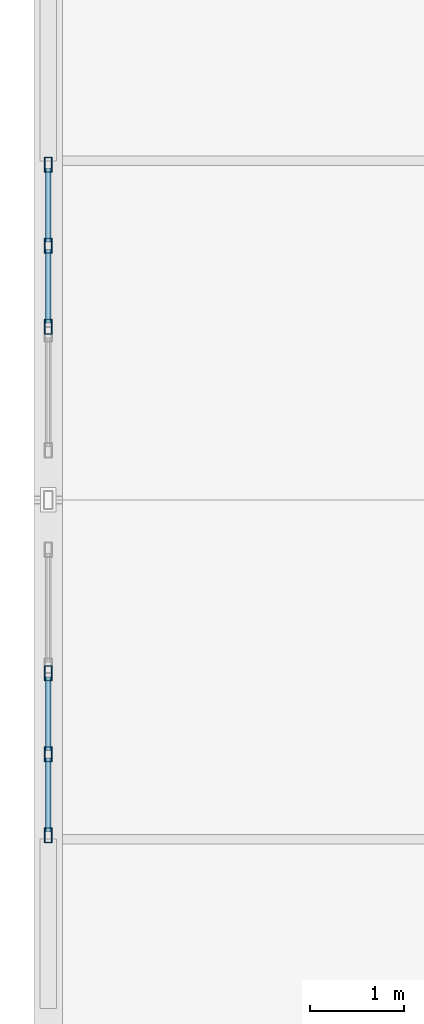
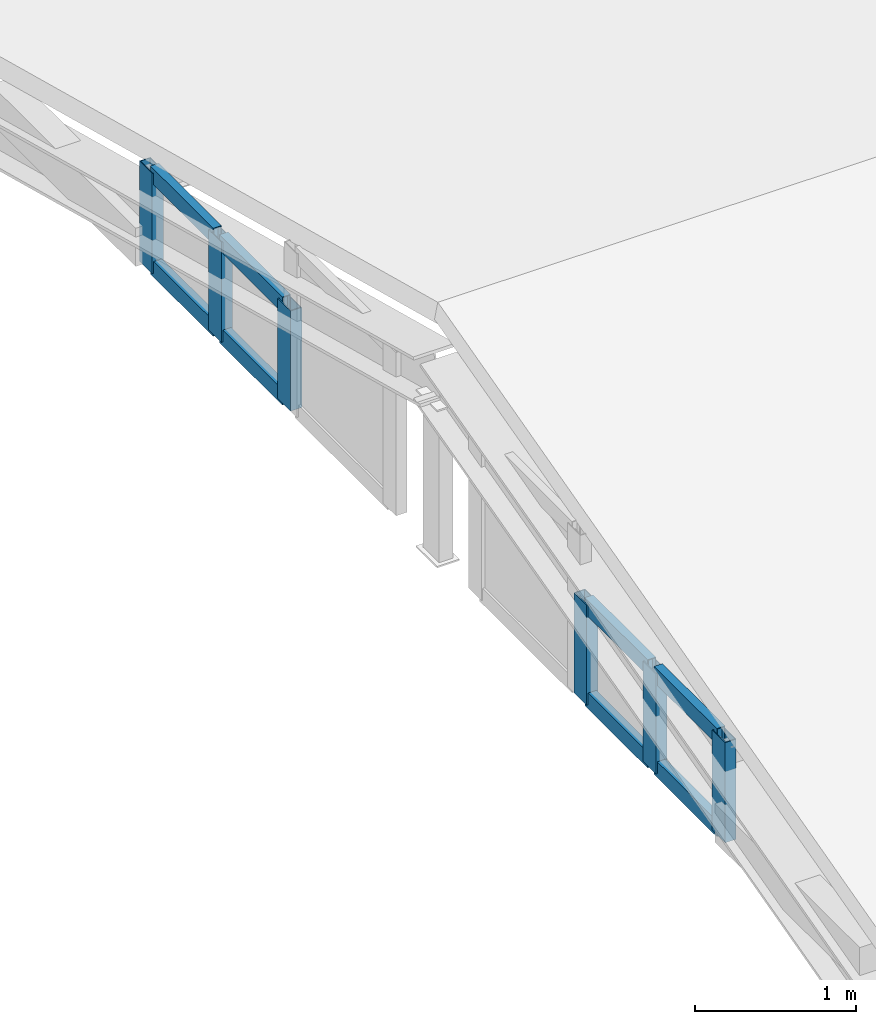
# One storey, part 52 of 105: 14 members, 2 elements without a shape of their own.
"""IFC4 building model written with IfcOpenShell, lengths in metres."""

from ifc_helpers import new_model, si_unit, direction, frame, origin, origin_2d, place, context, subcontext, project, spatial, hollow_rectangle, extrude, material, layer, layer_set, material_profile, profile_set, type_object, element, aggregate, save


model = new_model("IFC4")

# Units and contexts
model_context = context("Model", 3, precision=1e-05, world=origin(), true_north=direction((0.0, 1.0)))
body_context = subcontext(model_context, "Body", "Model", "MODEL_VIEW")
ifc_project = project(units=[si_unit("LENGTHUNIT", "METRE"), si_unit("AREAUNIT", "SQUARE_METRE"), si_unit("VOLUMEUNIT", "CUBIC_METRE"), si_unit("PLANEANGLEUNIT", "RADIAN"), si_unit("MASSUNIT", "GRAM", prefix="KILO"), si_unit("THERMODYNAMICTEMPERATUREUNIT", "KELVIN"), si_unit("POWERUNIT", "WATT")], contexts=[model_context])

# Site, building, storey
site_placement = place(None, origin())
site = spatial("IfcSite", under=ifc_project, at=site_placement, CompositionType="ELEMENT")
building_placement = place(site_placement, origin())
building = spatial("IfcBuilding", under=site, at=building_placement, Name="Kaldorven Railside Theatre", CompositionType="ELEMENT")
storey_placement = place(building_placement, frame((0.0, 0.0, 9.89990234375)))
storey = spatial("IfcBuildingStorey", under=building, at=storey_placement, Name="L02", CompositionType="ELEMENT", Elevation=9.89990234375)

# Curtain wall, members
ifc_material_1 = material(Name="Low-E laminated solar-control glass", Category="glass")
ifc_layer = layer(ifc_material_1, 0.159912109375, Name="Low-E laminated solar-control glass")
ifc_layer_set = layer_set([ifc_layer], Name="Low-E laminated solar-control glass")
curtain_wall_type = type_object("IfcCurtainWallType", Name="CWT-60", PredefinedType="USERDEFINED", material=ifc_layer_set)
curtain_wall_1_placement = place(storey_placement, origin())
curtain_wall_1 = element("IfcCurtainWall", 1, at=curtain_wall_1_placement, inside=storey, type_object=curtain_wall_type, Name="Black-Box West Gable Clerestory CWG-140", ObjectType="FLUTED GLAZING", PredefinedType="USERDEFINED")
ifc_material_2 = material(Name="Anodised bronze aluminium", Category="aluminium")
ifc_material_profile_1 = material_profile(ifc_material_2, hollow_rectangle(XDim=0.080078125, YDim=0.159912109375, WallThickness=0.00634765625, at=origin_2d()), Name="RHS 160x80x6.3")
ifc_profile_set_1 = profile_set([ifc_material_profile_1], Name="Anodised bronze aluminium")
member_type_1 = type_object("IfcMemberType", Name="CWM-160", PredefinedType="MULLION", material=ifc_profile_set_1)
member_1_placement = place(storey_placement, frame((8.0, 66.0400390625, 0.02001953125), z_axis=(0.0, 0.0, 1.0), x_axis=(-1.0, 0.0, 0.0)))
member_1 = element("IfcMember", 2, at=member_1_placement, type_object=member_type_1, Name="CWG-140 mullion 1", PredefinedType="MULLION", context=body_context, shape_type="SweptSolid", body=[
    extrude(hollow_rectangle(XDim=0.080078125, YDim=0.159912109375, WallThickness=0.00634765625, at=origin_2d()), origin(), (0.0, 0.0, 1.0), 0.760009765625),
])
member_2_placement = place(storey_placement, frame((8.0, 66.89990234375, 0.02001953125), z_axis=(0.0, 0.0, 1.0), x_axis=(-1.0, 0.0, 0.0)))
member_2 = element("IfcMember", 3, at=member_2_placement, type_object=member_type_1, Name="CWG-140 mullion 2", PredefinedType="MULLION", context=body_context, shape_type="SweptSolid", body=[
    extrude(hollow_rectangle(XDim=0.080078125, YDim=0.159912109375, WallThickness=0.00634765625, at=origin_2d()), origin(), (0.0, 0.0, 1.0), 0.760009765625),
])
member_3_placement = place(storey_placement, frame((8.0, 67.760009765625, 0.02001953125), z_axis=(0.0, 0.0, 1.0), x_axis=(-1.0, 0.0, 0.0)))
member_3 = element("IfcMember", 4, at=member_3_placement, type_object=member_type_1, Name="CWG-140 mullion 3", PredefinedType="MULLION", context=body_context, shape_type="SweptSolid", body=[
    extrude(hollow_rectangle(XDim=0.080078125, YDim=0.159912109375, WallThickness=0.00634765625, at=origin_2d()), origin(), (0.0, 0.0, 1.0), 0.760009765625),
])

curtain_wall_2_placement = place(storey_placement, origin())
curtain_wall_2 = element("IfcCurtainWall", 5, at=curtain_wall_2_placement, inside=storey, type_object=curtain_wall_type, Name="Black-Box West Gable Clerestory CWG-143", ObjectType="FLUTED GLAZING", PredefinedType="USERDEFINED")
member_4_placement = place(storey_placement, frame((8.0, 71.43994140625, 0.02001953125), z_axis=(0.0, 0.0, 1.0), x_axis=(-1.0, 0.0, 0.0)))
member_4 = element("IfcMember", 6, at=member_4_placement, type_object=member_type_1, Name="CWG-143 mullion 1", PredefinedType="MULLION", context=body_context, shape_type="SweptSolid", body=[
    extrude(hollow_rectangle(XDim=0.080078125, YDim=0.159912109375, WallThickness=0.00634765625, at=origin_2d()), origin(), (0.0, 0.0, 1.0), 0.760009765625),
])
member_5_placement = place(storey_placement, frame((8.0, 72.300048828125, 0.02001953125), z_axis=(0.0, 0.0, 1.0), x_axis=(-1.0, 0.0, 0.0)))
member_5 = element("IfcMember", 7, at=member_5_placement, type_object=member_type_1, Name="CWG-143 mullion 2", PredefinedType="MULLION", context=body_context, shape_type="SweptSolid", body=[
    extrude(hollow_rectangle(XDim=0.080078125, YDim=0.159912109375, WallThickness=0.00634765625, at=origin_2d()), origin(), (0.0, 0.0, 1.0), 0.760009765625),
])
member_6_placement = place(storey_placement, frame((8.0, 73.159912109375, 0.02001953125), z_axis=(0.0, 0.0, 1.0), x_axis=(-1.0, 0.0, 0.0)))
member_6 = element("IfcMember", 8, at=member_6_placement, type_object=member_type_1, Name="CWG-143 mullion 3", PredefinedType="MULLION", context=body_context, shape_type="SweptSolid", body=[
    extrude(hollow_rectangle(XDim=0.080078125, YDim=0.159912109375, WallThickness=0.00634765625, at=origin_2d()), origin(), (0.0, 0.0, 1.0), 0.760009765625),
])

# Member
ifc_material_profile_2 = material_profile(ifc_material_2, hollow_rectangle(XDim=0.06005859375, YDim=0.1201171875, WallThickness=0.0048828125, at=origin_2d()), Name="RHS 120x60x5")
ifc_profile_set_2 = profile_set([ifc_material_profile_2], Name="Anodised bronze aluminium")
member_type_2 = type_object("IfcMemberType", Name="CWT-120", PredefinedType="USERDEFINED", material=ifc_profile_set_2)
member_7_placement = place(storey_placement, frame((8.0, 66.080078125, 0.050048828125), z_axis=(0.0, 1.0, 0.0), x_axis=(-1.0, 0.0, 0.0)))
member_7 = element("IfcMember", 9, at=member_7_placement, type_object=member_type_2, Name="CWG-140 transom 1.1", ObjectType="TRANSOM", PredefinedType="USERDEFINED", context=body_context, shape_type="SweptSolid", body=[
    extrude(hollow_rectangle(XDim=0.06005859375, YDim=0.1201171875, WallThickness=0.0048828125, at=origin_2d()), origin(), (0.0, 0.0, 1.0), 0.780029296875),
])

member_8_placement = place(storey_placement, frame((8.0, 66.080078125, 0.75), z_axis=(0.0, 1.0, 0.0), x_axis=(-1.0, 0.0, 0.0)))
member_8 = element("IfcMember", 10, at=member_8_placement, type_object=member_type_2, Name="CWG-140 transom 1.2", ObjectType="TRANSOM", PredefinedType="USERDEFINED", context=body_context, shape_type="SweptSolid", body=[
    extrude(hollow_rectangle(XDim=0.06005859375, YDim=0.1201171875, WallThickness=0.0048828125, at=origin_2d()), origin(), (0.0, 0.0, 1.0), 0.780029296875),
])

member_9_placement = place(storey_placement, frame((8.0, 66.93994140625, 0.050048828125), z_axis=(0.0, 1.0, 0.0), x_axis=(-1.0, 0.0, 0.0)))
member_9 = element("IfcMember", 11, at=member_9_placement, type_object=member_type_2, Name="CWG-140 transom 2.1", ObjectType="TRANSOM", PredefinedType="USERDEFINED", context=body_context, shape_type="SweptSolid", body=[
    extrude(hollow_rectangle(XDim=0.06005859375, YDim=0.1201171875, WallThickness=0.0048828125, at=origin_2d()), origin(), (0.0, 0.0, 1.0), 0.780029296875),
])

member_10_placement = place(storey_placement, frame((8.0, 66.93994140625, 0.75), z_axis=(0.0, 1.0, 0.0), x_axis=(-1.0, 0.0, 0.0)))
member_10 = element("IfcMember", 12, at=member_10_placement, type_object=member_type_2, Name="CWG-140 transom 2.2", ObjectType="TRANSOM", PredefinedType="USERDEFINED", context=body_context, shape_type="SweptSolid", body=[
    extrude(hollow_rectangle(XDim=0.06005859375, YDim=0.1201171875, WallThickness=0.0048828125, at=origin_2d()), origin(), (0.0, 0.0, 1.0), 0.780029296875),
])

aggregate(curtain_wall_1, [member_1, member_2, member_3, member_7, member_8, member_9, member_10])

member_11_placement = place(storey_placement, frame((8.0, 71.47998046875, 0.050048828125), z_axis=(0.0, 1.0, 0.0), x_axis=(-1.0, 0.0, 0.0)))
member_11 = element("IfcMember", 13, at=member_11_placement, type_object=member_type_2, Name="CWG-143 transom 1.1", ObjectType="TRANSOM", PredefinedType="USERDEFINED", context=body_context, shape_type="SweptSolid", body=[
    extrude(hollow_rectangle(XDim=0.06005859375, YDim=0.1201171875, WallThickness=0.0048828125, at=origin_2d()), origin(), (0.0, 0.0, 1.0), 0.780029296875),
])

member_12_placement = place(storey_placement, frame((8.0, 71.47998046875, 0.75), z_axis=(0.0, 1.0, 0.0), x_axis=(-1.0, 0.0, 0.0)))
member_12 = element("IfcMember", 14, at=member_12_placement, type_object=member_type_2, Name="CWG-143 transom 1.2", ObjectType="TRANSOM", PredefinedType="USERDEFINED", context=body_context, shape_type="SweptSolid", body=[
    extrude(hollow_rectangle(XDim=0.06005859375, YDim=0.1201171875, WallThickness=0.0048828125, at=origin_2d()), origin(), (0.0, 0.0, 1.0), 0.780029296875),
])

member_13_placement = place(storey_placement, frame((8.0, 72.340087890625, 0.050048828125), z_axis=(0.0, 1.0, 0.0), x_axis=(-1.0, 0.0, 0.0)))
member_13 = element("IfcMember", 15, at=member_13_placement, type_object=member_type_2, Name="CWG-143 transom 2.1", ObjectType="TRANSOM", PredefinedType="USERDEFINED", context=body_context, shape_type="SweptSolid", body=[
    extrude(hollow_rectangle(XDim=0.06005859375, YDim=0.1201171875, WallThickness=0.0048828125, at=origin_2d()), origin(), (0.0, 0.0, 1.0), 0.780029296875),
])

member_14_placement = place(storey_placement, frame((8.0, 72.340087890625, 0.75), z_axis=(0.0, 1.0, 0.0), x_axis=(-1.0, 0.0, 0.0)))
member_14 = element("IfcMember", 16, at=member_14_placement, type_object=member_type_2, Name="CWG-143 transom 2.2", ObjectType="TRANSOM", PredefinedType="USERDEFINED", context=body_context, shape_type="SweptSolid", body=[
    extrude(hollow_rectangle(XDim=0.06005859375, YDim=0.1201171875, WallThickness=0.0048828125, at=origin_2d()), origin(), (0.0, 0.0, 1.0), 0.780029296875),
])

aggregate(curtain_wall_2, [member_4, member_5, member_6, member_11, member_12, member_13, member_14])

save(model, "model.ifc")
